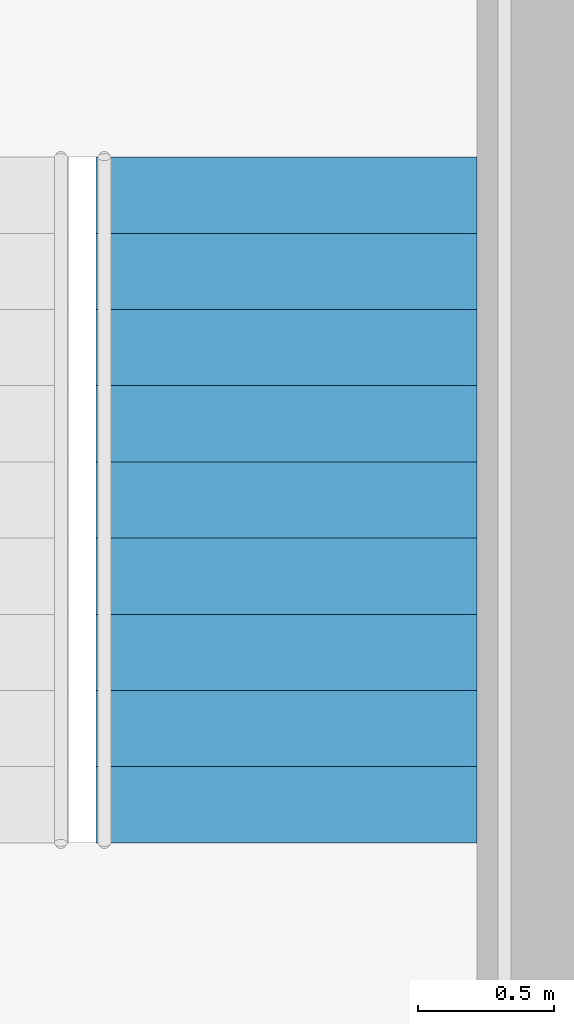
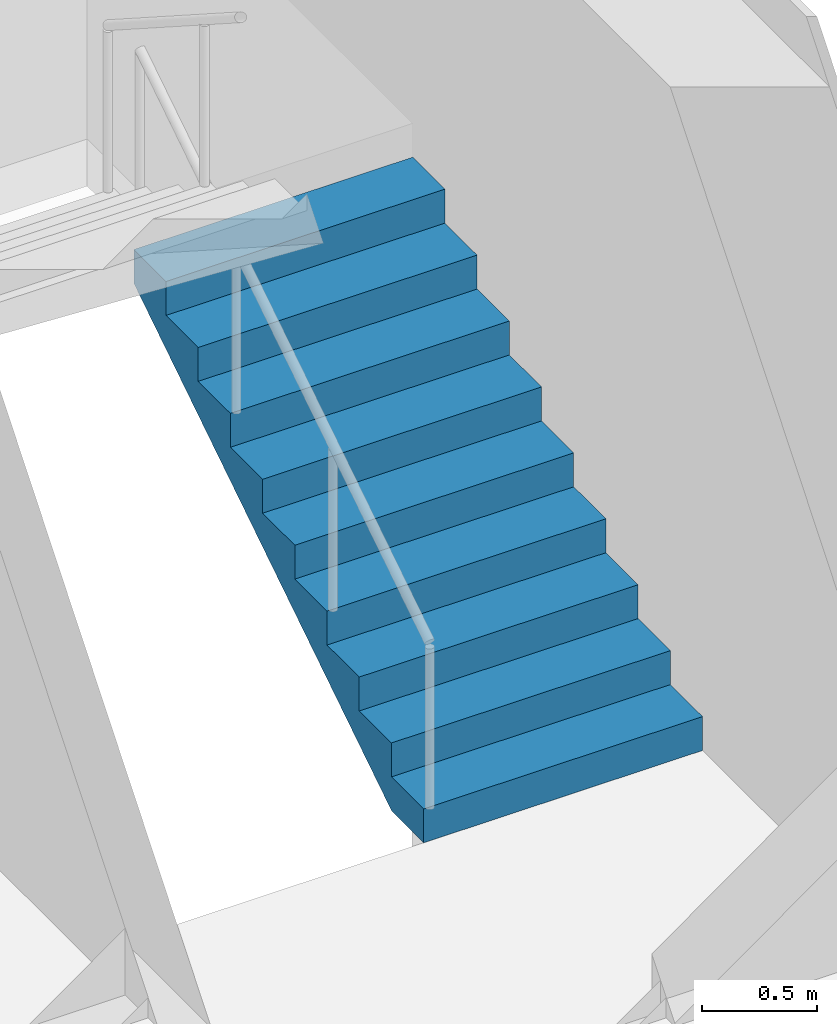
# One storey, part 39 of 40: 1 stair flight, 1 element without a shape of its own.
"""IFC4 building model written with IfcOpenShell, lengths in metres."""

from ifc_helpers import new_model, si_unit, direction, frame, origin, place, context, subcontext, project, spatial, polyline, outline, extrude, material, type_object, element, aggregate, save


model = new_model("IFC4")

# Units and contexts
model_context = context("Model", 3, precision=1e-05, world=origin(), true_north=direction((0.0, 1.0)))
body_context = subcontext(model_context, "Body", "Model", "MODEL_VIEW")
ifc_project = project(units=[si_unit("LENGTHUNIT", "METRE"), si_unit("AREAUNIT", "SQUARE_METRE"), si_unit("VOLUMEUNIT", "CUBIC_METRE"), si_unit("PLANEANGLEUNIT", "RADIAN"), si_unit("MASSUNIT", "GRAM", prefix="KILO")], contexts=[model_context])

# Site, building, storey
site_placement = place(None, origin())
site = spatial("IfcSite", under=ifc_project, at=site_placement, CompositionType="ELEMENT")
building_placement = place(site_placement, origin())
building = spatial("IfcBuilding", under=site, at=building_placement, Name="Altepetl Exchange Towers", CompositionType="ELEMENT")
storey_placement = place(building_placement, frame((0.0, 0.0, 158.199951171875)))
storey = spatial("IfcBuildingStorey", under=building, at=storey_placement, Name="L39", CompositionType="ELEMENT", Elevation=158.199951171875)

# Stair, stair flight
ifc_material = material(Name="Concrete C40/50", Category="concrete")
stair_type = type_object("IfcStairType", Name="Exit stair 1400 flights dogleg", PredefinedType="HALF_TURN_STAIR", material=ifc_material)
stair_placement = place(storey_placement, origin())
stair = element("IfcStair", 1, at=stair_placement, inside=storey, type_object=stair_type, Name="Exit stair 2", PredefinedType="HALF_TURN_STAIR")
stair_flight_type = type_object("IfcStairFlightType", Name="Stair flight 1400 wide", PredefinedType="STRAIGHT", material=ifc_material)
stair_flight_placement = place(storey_placement, frame((115.699951171875, 43.550048828125, 0.0), z_axis=(0.0, 0.0, 1.0), x_axis=(0.0, 1.0, 0.0)))
stair_flight = element("IfcStairFlight", 2, at=stair_flight_placement, type_object=stair_flight_type, Name="ST-B2e flight 1", NumberOfRisers=10, NumberOfTreads=9, PredefinedType="STRAIGHT", RiserHeight=0.18, TreadLength=0.28, context=body_context, shape_type="SweptSolid", body=[
    extrude(outline(polyline([(0.0, 0.0), (0.0, 0.179931640625), (0.280029296875, 0.179931640625), (0.280029296875, 0.360107421875), (0.56005859375, 0.360107421875), (0.56005859375, 0.5400390625), (0.840087890625, 0.5400390625), (0.840087890625, 0.719970703125), (1.1201171875, 0.719970703125), (1.1201171875, 0.89990234375), (1.39990234375, 0.89990234375), (1.39990234375, 1.080078125), (1.679931640625, 1.080078125), (1.679931640625, 1.260009765625), (1.9599609375, 1.260009765625), (1.9599609375, 1.43994140625), (2.239990234375, 1.43994140625), (2.239990234375, 1.6201171875), (2.52001953125, 1.6201171875), (2.52001953125, 1.800048828125), (2.52001953125, 1.44189453125), (0.277099609375, 0.0), (0.0, 0.0)])), frame((0.0, 0.699951171875, 0.0), z_axis=(0.0, -1.0, 0.0), x_axis=(1.0, 0.0, 0.0)), (0.0, 0.0, 1.0), 1.39990234375),
])
aggregate(stair, [stair_flight])

save(model, "model.ifc")
